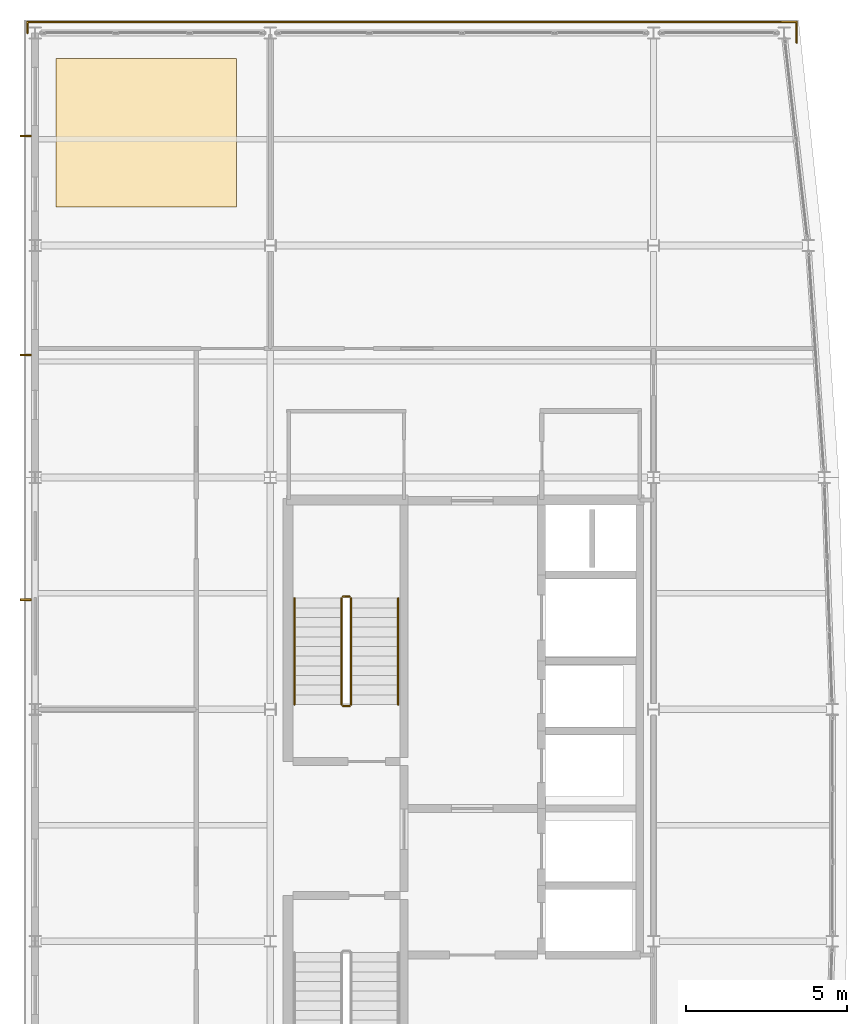
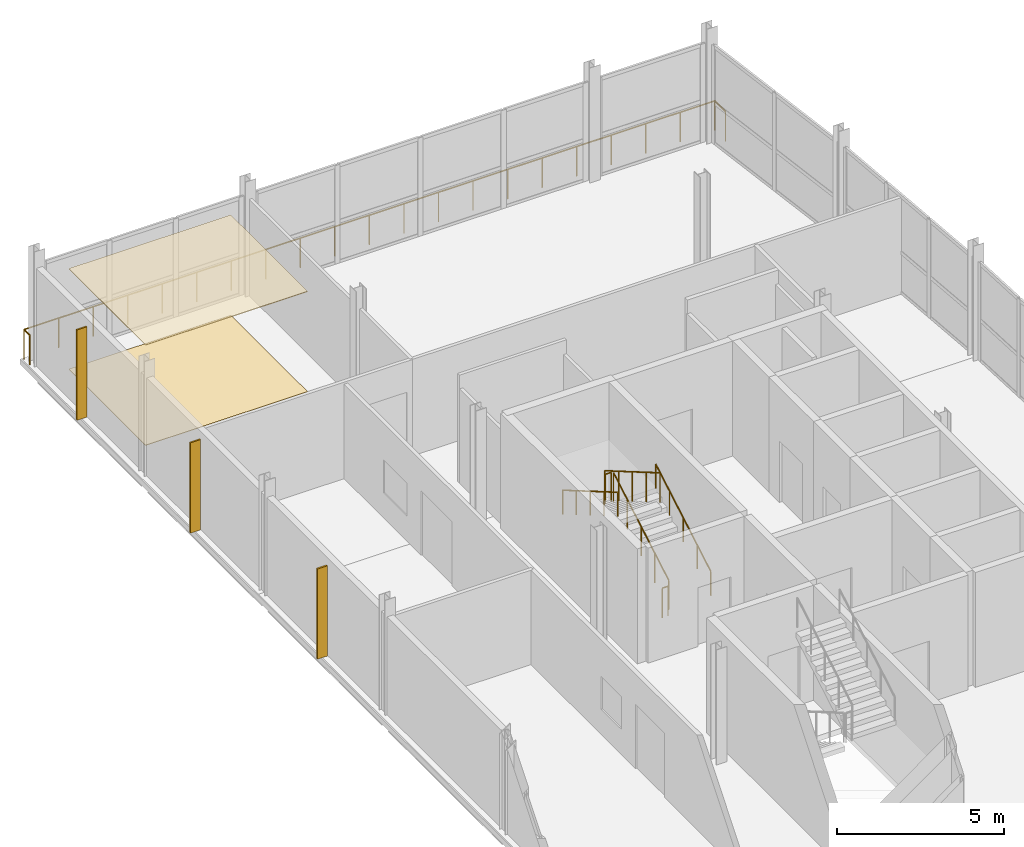
# One storey, part 17 of 17: 7 railings, 3 shading devices, 2 coverings.
"""IFC4 building model written with IfcOpenShell, lengths in metres."""

from ifc_helpers import new_model, si_unit, direction, frame, origin, origin_2d, place, context, subcontext, project, spatial, polyline, rectangle, circle, outline, extrude, material, layer, layer_set, type_object, element, save


model = new_model("IFC4")

# Units and contexts
model_context = context("Model", 3, precision=1e-05, world=origin(), true_north=direction((0.0, 1.0)))
body_context = subcontext(model_context, "Body", "Model", "MODEL_VIEW")
ifc_project = project(units=[si_unit("LENGTHUNIT", "METRE"), si_unit("AREAUNIT", "SQUARE_METRE"), si_unit("VOLUMEUNIT", "CUBIC_METRE"), si_unit("PLANEANGLEUNIT", "RADIAN"), si_unit("MASSUNIT", "GRAM", prefix="KILO")], contexts=[model_context])

# Site, building, storey
site_placement = place(None, origin())
site = spatial("IfcSite", under=ifc_project, at=site_placement, CompositionType="ELEMENT")
building_placement = place(site_placement, origin())
building = spatial("IfcBuilding", under=site, at=building_placement, Name="Quillay Park Conservatory", CompositionType="ELEMENT")
storey_placement = place(building_placement, frame((0.0, 0.0, 51.89990234375)))
storey = spatial("IfcBuildingStorey", under=building, at=storey_placement, Name="L12", CompositionType="ELEMENT", Elevation=51.89990234375)

# Coverings
ifc_material_1 = material(Name="Perforated Mineral-Fibre Acoustic Ceiling")
ifc_layer_1 = layer(ifc_material_1, 0.02490234375)
ifc_layer_set_1 = layer_set([ifc_layer_1], Name="ACOUSTIC MINERAL CEILING 25 (Perforated Mineral-Fibre Acoustic Ceiling)")
covering_type_1 = type_object("IfcCoveringType", Name="ACOUSTIC MINERAL CEILING 25", PredefinedType="CEILING", material=ifc_layer_set_1)
covering_1_placement = place(storey_placement, frame((0.0, 0.0, 3.662109375)))
element("IfcCovering", 1, at=covering_1_placement, inside=storey, type_object=covering_type_1, Name="L12 Suspended Acoustic Ceiling", PredefinedType="CEILING", context=body_context, shape_type="SweptSolid", body=[
    extrude(outline(polyline([(1.199951171875, 108.0), (6.800048828125, 108.0), (6.800048828125, 112.60009765625), (1.199951171875, 112.60009765625), (1.199951171875, 108.0)])), origin(), (0.0, 0.0, 1.0), 0.02490234375),
])
ifc_material_2 = material(Name="Seamless Chemical-Resistant Epoxy Flooring")
ifc_layer_2 = layer(ifc_material_2, 0.01806640625)
ifc_layer_set_2 = layer_set([ifc_layer_2], Name="SEAMLESS EPOXY LAB FLOORING 18 (Seamless Chemical-Resistant Epoxy Flooring)")
covering_type_2 = type_object("IfcCoveringType", Name="SEAMLESS EPOXY LAB FLOORING 18", PredefinedType="FLOORING", material=ifc_layer_set_2)
covering_2_placement = place(storey_placement, origin())
element("IfcCovering", 2, at=covering_2_placement, inside=storey, type_object=covering_type_2, Name="L12 Interior Flooring Finish", PredefinedType="FLOORING", context=body_context, shape_type="SweptSolid", body=[
    extrude(outline(polyline([(1.199951171875, 108.0), (6.800048828125, 108.0), (6.800048828125, 112.60009765625), (1.199951171875, 112.60009765625), (1.199951171875, 108.0)])), origin(), (0.0, 0.0, 1.0), 0.01806640625),
])

# Railings
ifc_material_3 = material(Name="Steel S355J2H", Category="steel")
railing_type_1 = type_object("IfcRailingType", Name="STAIR WALL HANDRAIL 900", PredefinedType="HANDRAIL", material=ifc_material_3)
railing_1_placement = place(storey_placement, frame((11.820068359375, 92.550048828125, 0.175048828125)))
element("IfcRailing", 3, at=railing_1_placement, inside=storey, type_object=railing_type_1, Name="L12 ST-T1 stair handrail 1", PredefinedType="HANDRAIL", context=body_context, shape_type="SweptSolid", body=[
    extrude(circle(Radius=0.02392578125, at=origin_2d()), frame((0.0, 0.0, 0.8759765625), z_axis=(0.0, 0.863776583165, 0.503874998761), x_axis=(-1.0, 0.0, 0.0)), (0.0, 0.0, 1.0), 3.820556640625),
    extrude(circle(Radius=0.02099609375, at=origin_2d()), origin(), (0.0, 0.0, 1.0), 0.851806640625),
    extrude(circle(Radius=0.02099609375, at=origin_2d()), frame((0.0, 0.824951171875, 0.481201171875)), (0.0, 0.0, 1.0), 0.851806640625),
    extrude(circle(Radius=0.02099609375, at=origin_2d()), frame((0.0, 1.64990234375, 0.96240234375)), (0.0, 0.0, 1.0), 0.851806640625),
    extrude(circle(Radius=0.02099609375, at=origin_2d()), frame((0.0, 2.47509765625, 1.44384765625)), (0.0, 0.0, 1.0), 0.851806640625),
    extrude(circle(Radius=0.02099609375, at=origin_2d()), frame((0.0, 3.300048828125, 1.925048828125)), (0.0, 0.0, 1.0), 0.851806640625),
])
railing_2_placement = place(storey_placement, frame((8.60009765625, 95.85009765625, 2.275146484375)))
element("IfcRailing", 4, at=railing_2_placement, inside=storey, type_object=railing_type_1, Name="L12 ST-T1 stair handrail 2", PredefinedType="HANDRAIL", context=body_context, shape_type="SweptSolid", body=[
    extrude(circle(Radius=0.02392578125, at=origin_2d()), frame((0.0, 0.0, 0.8759765625), z_axis=(0.0, -0.863776583165, 0.503874998761), x_axis=(1.0, 0.0, 0.0)), (0.0, 0.0, 1.0), 3.820556640625),
    extrude(circle(Radius=0.02099609375, at=origin_2d()), origin(), (0.0, 0.0, 1.0), 0.851806640625),
    extrude(circle(Radius=0.02099609375, at=origin_2d()), frame((0.0, -0.824951171875, 0.481201171875)), (0.0, 0.0, 1.0), 0.851806640625),
    extrude(circle(Radius=0.02099609375, at=origin_2d()), frame((0.0, -1.64990234375, 0.96240234375)), (0.0, 0.0, 1.0), 0.851806640625),
    extrude(circle(Radius=0.02099609375, at=origin_2d()), frame((0.0, -2.47509765625, 1.44384765625)), (0.0, 0.0, 1.0), 0.851806640625),
    extrude(circle(Radius=0.02099609375, at=origin_2d()), frame((0.0, -3.300048828125, 1.925048828125)), (0.0, 0.0, 1.0), 0.851806640625),
])
ifc_material_4 = material(Name="Steel S355J2H", Category="steel")
railing_type_2 = type_object("IfcRailingType", Name="STAIR WELL GUARDRAIL 1100", PredefinedType="GUARDRAIL", material=ifc_material_4)
railing_3_placement = place(storey_placement, frame((10.360107421875, 92.550048828125, 0.175048828125)))
element("IfcRailing", 5, at=railing_3_placement, inside=storey, type_object=railing_type_2, Name="L12 ST-T1 stair guard 1", PredefinedType="GUARDRAIL", context=body_context, shape_type="SweptSolid", body=[
    extrude(circle(Radius=0.02392578125, at=origin_2d()), frame((0.0, 0.0, 1.076171875), z_axis=(0.0, 0.863776583165, 0.503874998761), x_axis=(-1.0, 0.0, 0.0)), (0.0, 0.0, 1.0), 3.820556640625),
    extrude(circle(Radius=0.02099609375, at=origin_2d()), origin(), (0.0, 0.0, 1.0), 1.052001953125),
    extrude(circle(Radius=0.02099609375, at=origin_2d()), frame((0.0, 0.824951171875, 0.481201171875)), (0.0, 0.0, 1.0), 1.052001953125),
    extrude(circle(Radius=0.02099609375, at=origin_2d()), frame((0.0, 1.64990234375, 0.96240234375)), (0.0, 0.0, 1.0), 1.052001953125),
    extrude(circle(Radius=0.02099609375, at=origin_2d()), frame((0.0, 2.47509765625, 1.44384765625)), (0.0, 0.0, 1.0), 1.052001953125),
    extrude(circle(Radius=0.02099609375, at=origin_2d()), frame((0.0, 3.300048828125, 1.925048828125)), (0.0, 0.0, 1.0), 1.052001953125),
])
railing_4_placement = place(storey_placement, frame((10.31005859375, 95.89990234375, 2.10009765625)))
element("IfcRailing", 6, at=railing_4_placement, inside=storey, type_object=railing_type_2, Name="L12 ST-T1 stair guard 2", PredefinedType="GUARDRAIL", context=body_context, shape_type="SweptSolid", body=[
    extrude(circle(Radius=0.02392578125, at=origin_2d()), frame((0.0, 0.0, 1.076171875), z_axis=(-1.0, 0.0, 0.0), x_axis=(0.0, -1.0, 0.0)), (0.0, 0.0, 1.0), 0.199951171875),
    extrude(circle(Radius=0.02099609375, at=origin_2d()), origin(), (0.0, 0.0, 1.0), 1.052001953125),
    extrude(circle(Radius=0.02099609375, at=origin_2d()), frame((-0.199951171875, 0.0, 0.0)), (0.0, 0.0, 1.0), 1.052001953125),
])
railing_5_placement = place(storey_placement, frame((10.06005859375, 95.85009765625, 2.275146484375)))
element("IfcRailing", 7, at=railing_5_placement, inside=storey, type_object=railing_type_2, Name="L12 ST-T1 stair guard 3", PredefinedType="GUARDRAIL", context=body_context, shape_type="SweptSolid", body=[
    extrude(circle(Radius=0.02392578125, at=origin_2d()), frame((0.0, 0.0, 1.076171875), z_axis=(0.0, -0.863776583165, 0.503874998761), x_axis=(1.0, 0.0, 0.0)), (0.0, 0.0, 1.0), 3.820556640625),
    extrude(circle(Radius=0.02099609375, at=origin_2d()), origin(), (0.0, 0.0, 1.0), 1.052001953125),
    extrude(circle(Radius=0.02099609375, at=origin_2d()), frame((0.0, -0.824951171875, 0.481201171875)), (0.0, 0.0, 1.0), 1.052001953125),
    extrude(circle(Radius=0.02099609375, at=origin_2d()), frame((0.0, -1.64990234375, 0.96240234375)), (0.0, 0.0, 1.0), 1.052001953125),
    extrude(circle(Radius=0.02099609375, at=origin_2d()), frame((0.0, -2.47509765625, 1.44384765625)), (0.0, 0.0, 1.0), 1.052001953125),
    extrude(circle(Radius=0.02099609375, at=origin_2d()), frame((0.0, -3.300048828125, 1.925048828125)), (0.0, 0.0, 1.0), 1.052001953125),
])
railing_6_placement = place(storey_placement, frame((10.31005859375, 92.5, 0.0)))
element("IfcRailing", 8, at=railing_6_placement, inside=storey, type_object=railing_type_2, Name="L12 ST-T1 stair guard 4", PredefinedType="GUARDRAIL", context=body_context, shape_type="SweptSolid", body=[
    extrude(circle(Radius=0.02392578125, at=origin_2d()), frame((0.0, 0.0, 1.076171875), z_axis=(-1.0, 0.0, 0.0), x_axis=(0.0, -1.0, 0.0)), (0.0, 0.0, 1.0), 0.199951171875),
    extrude(circle(Radius=0.02099609375, at=origin_2d()), origin(), (0.0, 0.0, 1.0), 1.052001953125),
    extrude(circle(Radius=0.02099609375, at=origin_2d()), frame((-0.199951171875, 0.0, 0.0)), (0.0, 0.0, 1.0), 1.052001953125),
])
ifc_material_5 = material(Name="Steel S355J2H", Category="steel")
railing_type_3 = type_object("IfcRailingType", Name="TERRACE PERIMETER GUARDRAIL 1100", PredefinedType="GUARDRAIL", material=ifc_material_5)
railing_7_placement = place(storey_placement, frame((0.31005859375, 113.39990234375, 0.0)))
element("IfcRailing", 9, at=railing_7_placement, inside=storey, type_object=railing_type_3, Name="L12 Perimeter Safety Guardrail 038", PredefinedType="GUARDRAIL", context=body_context, shape_type="SweptSolid", body=[
    extrude(circle(Radius=0.02392578125, at=origin_2d()), frame((0.0, 0.0, 1.076171875), z_axis=(0.0, 1.0, 0.0), x_axis=(-1.0, 0.0, 0.0)), (0.0, 0.0, 1.0), 0.340087890625),
    extrude(circle(Radius=0.02392578125, at=origin_2d()), frame((0.0, 0.340087890625, 1.076171875), z_axis=(1.0, 0.0, 0.0), x_axis=(0.0, 1.0, 0.0)), (0.0, 0.0, 1.0), 23.8798828125),
    extrude(circle(Radius=0.02392578125, at=origin_2d()), frame((23.8798828125, 0.340087890625, 1.076171875), z_axis=(0.0, -1.0, 0.0), x_axis=(1.0, 0.0, 0.0)), (0.0, 0.0, 1.0), 0.639892578125),
    extrude(circle(Radius=0.02099609375, at=origin_2d()), origin(), (0.0, 0.0, 1.0), 1.052001953125),
    extrude(circle(Radius=0.02099609375, at=origin_2d()), frame((0.0, 0.340087890625, 0.0)), (0.0, 0.0, 1.0), 1.052001953125),
    extrude(circle(Radius=0.02099609375, at=origin_2d()), frame((1.194091796875, 0.340087890625, 0.0)), (0.0, 0.0, 1.0), 1.052001953125),
    extrude(circle(Radius=0.02099609375, at=origin_2d()), frame((2.387939453125, 0.340087890625, 0.0)), (0.0, 0.0, 1.0), 1.052001953125),
    extrude(circle(Radius=0.02099609375, at=origin_2d()), frame((3.58203125, 0.340087890625, 0.0)), (0.0, 0.0, 1.0), 1.052001953125),
    extrude(circle(Radius=0.02099609375, at=origin_2d()), frame((4.77587890625, 0.340087890625, 0.0)), (0.0, 0.0, 1.0), 1.052001953125),
    extrude(circle(Radius=0.02099609375, at=origin_2d()), frame((5.969970703125, 0.340087890625, 0.0)), (0.0, 0.0, 1.0), 1.052001953125),
    extrude(circle(Radius=0.02099609375, at=origin_2d()), frame((7.1640625, 0.340087890625, 0.0)), (0.0, 0.0, 1.0), 1.052001953125),
    extrude(circle(Radius=0.02099609375, at=origin_2d()), frame((8.35791015625, 0.340087890625, 0.0)), (0.0, 0.0, 1.0), 1.052001953125),
    extrude(circle(Radius=0.02099609375, at=origin_2d()), frame((9.552001953125, 0.340087890625, 0.0)), (0.0, 0.0, 1.0), 1.052001953125),
    extrude(circle(Radius=0.02099609375, at=origin_2d()), frame((10.745849609375, 0.340087890625, 0.0)), (0.0, 0.0, 1.0), 1.052001953125),
    extrude(circle(Radius=0.02099609375, at=origin_2d()), frame((11.93994140625, 0.340087890625, 0.0)), (0.0, 0.0, 1.0), 1.052001953125),
    extrude(circle(Radius=0.02099609375, at=origin_2d()), frame((13.134033203125, 0.340087890625, 0.0)), (0.0, 0.0, 1.0), 1.052001953125),
    extrude(circle(Radius=0.02099609375, at=origin_2d()), frame((14.327880859375, 0.340087890625, 0.0)), (0.0, 0.0, 1.0), 1.052001953125),
    extrude(circle(Radius=0.02099609375, at=origin_2d()), frame((15.52197265625, 0.340087890625, 0.0)), (0.0, 0.0, 1.0), 1.052001953125),
    extrude(circle(Radius=0.02099609375, at=origin_2d()), frame((16.7158203125, 0.340087890625, 0.0)), (0.0, 0.0, 1.0), 1.052001953125),
    extrude(circle(Radius=0.02099609375, at=origin_2d()), frame((17.909912109375, 0.340087890625, 0.0)), (0.0, 0.0, 1.0), 1.052001953125),
    extrude(circle(Radius=0.02099609375, at=origin_2d()), frame((19.10400390625, 0.340087890625, 0.0)), (0.0, 0.0, 1.0), 1.052001953125),
    extrude(circle(Radius=0.02099609375, at=origin_2d()), frame((20.2978515625, 0.340087890625, 0.0)), (0.0, 0.0, 1.0), 1.052001953125),
    extrude(circle(Radius=0.02099609375, at=origin_2d()), frame((21.491943359375, 0.340087890625, 0.0)), (0.0, 0.0, 1.0), 1.052001953125),
    extrude(circle(Radius=0.02099609375, at=origin_2d()), frame((22.685791015625, 0.340087890625, 0.0)), (0.0, 0.0, 1.0), 1.052001953125),
    extrude(circle(Radius=0.02099609375, at=origin_2d()), frame((23.8798828125, 0.340087890625, 0.0)), (0.0, 0.0, 1.0), 1.052001953125),
    extrude(circle(Radius=0.02099609375, at=origin_2d()), frame((23.8798828125, -0.2998046875, 0.0)), (0.0, 0.0, 1.0), 1.052001953125),
])

# Shading devices
ifc_material_6 = material(Name="Perforated Copper-Bronze Anodised Aluminium", Category="aluminium")
shading_device_type = type_object("IfcShadingDeviceType", Name="COPPER BRONZE SOLAR FIN", PredefinedType="USERDEFINED", material=ifc_material_6)
for number, where, z_axis, x_axis, name in (
    (10, (0.2548828125, 95.800048828125, 0.0), (0.0, 0.0, 1.0), (1.0, 0.0, 0.0), "L12 Perforated Copper-Bronze Solar Fin 043"),
    (11, (0.2548828125, 103.39990234375, 0.0), (0.0, 0.0, 1.0), (1.0, 0.0, 0.0), "L12 Perforated Copper-Bronze Solar Fin 044"),
    (12, (0.2548828125, 110.199951171875, 0.0), (0.0, 0.0, 1.0), (1.0, 0.0, 0.0), "L12 Perforated Copper-Bronze Solar Fin 045"),
):
    element("IfcShadingDevice", number, at=place(storey_placement, frame(where, z_axis=z_axis, x_axis=x_axis)), inside=storey, type_object=shading_device_type, Name=name, ObjectType="SOLAR FIN", PredefinedType="USERDEFINED", context=body_context, shape_type="SweptSolid", body=[
        extrude(rectangle(XDim=0.35009765625, YDim=0.054931640625, at=origin_2d()), origin(), (0.0, 0.0, 1.0), 3.300048828125),
    ])

save(model, "model.ifc")
